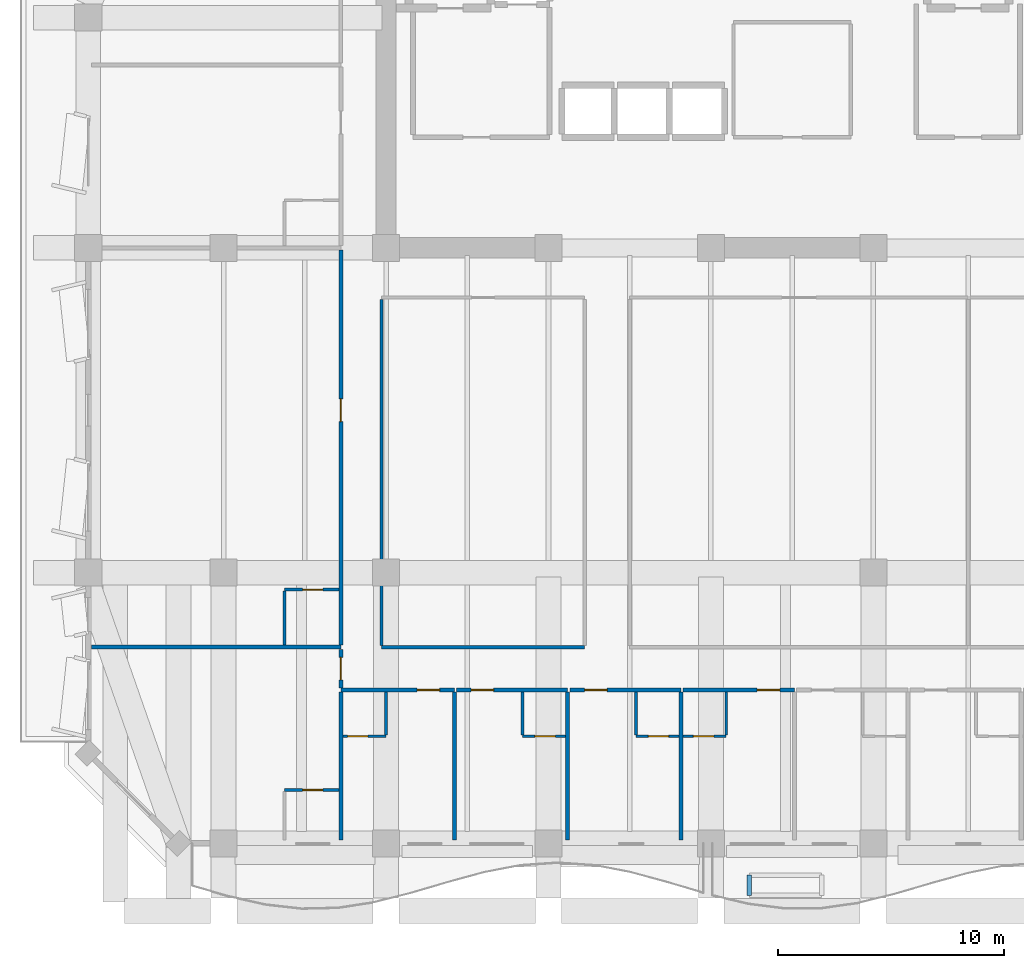
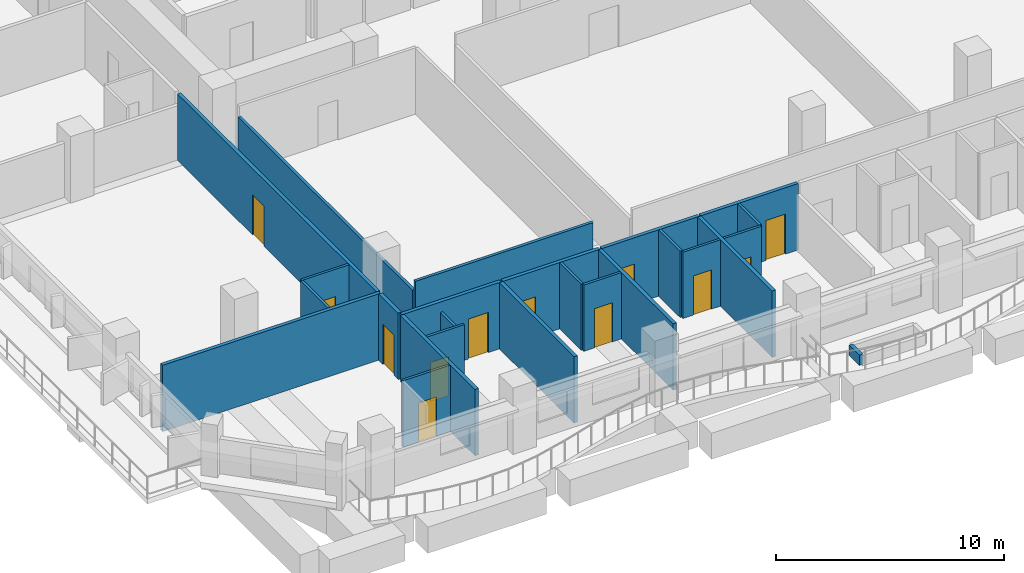
# One storey, part 4 of 16: 25 walls, 12 doors, 12 openings.
"""IFC4 building model written with IfcOpenShell, lengths in metres."""

from ifc_helpers import new_model, si_unit, direction, frame, frame_2d, origin, place, context, subcontext, project, spatial, rectangle, extrude, material, layer, layer_set, type_object, element, fill, save


model = new_model("IFC4")

# Units and contexts
model_context = context("Model", 3, precision=1e-05, world=origin(), true_north=direction((0.0, 1.0)))
body_context = subcontext(model_context, "Body", "Model", "MODEL_VIEW")
ifc_project = project(units=[si_unit("LENGTHUNIT", "METRE"), si_unit("AREAUNIT", "SQUARE_METRE"), si_unit("VOLUMEUNIT", "CUBIC_METRE"), si_unit("PLANEANGLEUNIT", "RADIAN"), si_unit("MASSUNIT", "GRAM", prefix="KILO")], contexts=[model_context])

# Site, building, storey
site_placement = place(None, origin())
site = spatial("IfcSite", under=ifc_project, at=site_placement, CompositionType="ELEMENT")
building_placement = place(site_placement, origin())
building = spatial("IfcBuilding", under=site, at=building_placement, Name="Kaelvorn Grand Hotel", CompositionType="ELEMENT")
storey_placement = place(building_placement, frame((0.0, 0.0, 135.35009765625)))
storey = spatial("IfcBuildingStorey", under=building, at=storey_placement, Name="L32", CompositionType="ELEMENT", Elevation=135.35009765625)

# Wall, opening, door
ifc_material_1 = material(Name="Moisture-Resistant Tile & Stud Board")
ifc_layer_1 = layer(ifc_material_1, 0.125)
ifc_layer_set_1 = layer_set([ifc_layer_1], Name="Moisture-Resistant Tile & Stud Board")
wall_type_1 = type_object("IfcWallType", Name="WL-PART-125-WET", PredefinedType="PARTITIONING", material=ifc_layer_set_1)
wall_1_placement = place(storey_placement, frame((14.294921875, 7.75, 0.0), z_axis=(0.0, 0.0, 1.0), x_axis=(1.0, 0.0, 0.0)))
wall_1 = element("IfcWall", 1, at=wall_1_placement, inside=storey, type_object=wall_type_1, Name="L32 En-suite Bathroom L32-01 S Partition", PredefinedType="PARTITIONING", context=body_context, shape_type="SweptSolid", body=[
    extrude(rectangle(XDim=1.905029296875, YDim=0.125, at=frame_2d((0.95263671875, 0.0))), origin(), (0.0, 0.0, 1.0), 3.559814453125),
])
opening_1_placement = place(wall_1_placement, frame((0.205078125, 0.0, 0.0)))
opening_1 = element("IfcOpeningElement", 2, at=opening_1_placement, cuts=wall_1, Name="Opening DI4", PredefinedType="OPENING", context=body_context, shape_type="SweptSolid", body=[
    extrude(rectangle(XDim=0.89990234375, YDim=2.10009765625, at=frame_2d((0.449951171875, 1.050048828125))), frame((0.0, 0.072509765625, 0.0), z_axis=(0.0, -1.0, 0.0), x_axis=(1.0, 0.0, 0.0)), (0.0, 0.0, 1.0), 0.14501953125),
])
ifc_material_2 = material(Name="Timber Veneer Leaf", Category="wood")
door_type_1 = type_object("IfcDoorType", Name="DR-INT-BATH-900x2100", OperationType="NOTDEFINED", PredefinedType="DOOR", material=ifc_material_2)
door_1_placement = place(opening_1_placement, origin())
door_1 = element("IfcDoor", 3, at=door_1_placement, inside=storey, type_object=door_type_1, Name="L32 En-suite Bathroom L32-01 Door", OperationType="SINGLE_SWING_RIGHT", OverallHeight=2.10009765625, OverallWidth=0.89990234375, PredefinedType="DOOR", context=body_context, shape_type="SweptSolid", body=[
    extrude(rectangle(XDim=0.89990234375, YDim=2.10009765625, at=frame_2d((0.449951171875, 1.050048828125))), frame((0.0, 0.02490234375, 0.0), z_axis=(0.0, -1.0, 0.0), x_axis=(1.0, 0.0, 0.0)), (0.0, 0.0, 1.0), 0.050048828125),
])
fill(opening_1, door_1)

# Wall
wall_2_placement = place(storey_placement, frame((16.199951171875, 7.8173828125, 0.0), z_axis=(0.0, 0.0, 1.0), x_axis=(0.0, 1.0, 0.0)))
element("IfcWall", 4, at=wall_2_placement, inside=storey, type_object=wall_type_1, Name="L32 En-suite Bathroom L32-01 E Partition", PredefinedType="PARTITIONING", context=body_context, shape_type="SweptSolid", body=[
    extrude(rectangle(XDim=1.8876953125, YDim=0.125, at=frame_2d((0.94384765625, 0.0))), origin(), (0.0, 0.0, 1.0), 3.010009765625),
])

# Wall, opening, door
wall_3_placement = place(storey_placement, frame((22.250732421875, 7.75, 0.0), z_axis=(0.0, 0.0, 1.0), x_axis=(1.0, 0.0, 0.0)))
wall_3 = element("IfcWall", 5, at=wall_3_placement, inside=storey, type_object=wall_type_1, Name="L32 En-suite Bathroom L32-02 S Partition", PredefinedType="PARTITIONING", context=body_context, shape_type="SweptSolid", body=[
    extrude(rectangle(XDim=1.905029296875, YDim=0.125, at=frame_2d((0.95263671875, 0.0))), origin(), (0.0, 0.0, 1.0), 3.559814453125),
])
opening_2_placement = place(wall_3_placement, frame((0.550048828125, 0.0, 0.0)))
opening_2 = element("IfcOpeningElement", 6, at=opening_2_placement, cuts=wall_3, Name="Opening DI4", PredefinedType="OPENING", context=body_context, shape_type="SweptSolid", body=[
    extrude(rectangle(XDim=0.89990234375, YDim=2.10009765625, at=frame_2d((0.449951171875, 1.050048828125))), frame((0.0, 0.072509765625, 0.0), z_axis=(0.0, -1.0, 0.0), x_axis=(1.0, 0.0, 0.0)), (0.0, 0.0, 1.0), 0.14501953125),
])
door_2_placement = place(opening_2_placement, origin())
door_2 = element("IfcDoor", 7, at=door_2_placement, inside=storey, type_object=door_type_1, Name="L32 En-suite Bathroom L32-02 Door", OperationType="SINGLE_SWING_RIGHT", OverallHeight=2.10009765625, OverallWidth=0.89990234375, PredefinedType="DOOR", context=body_context, shape_type="SweptSolid", body=[
    extrude(rectangle(XDim=0.89990234375, YDim=2.10009765625, at=frame_2d((0.449951171875, 1.050048828125))), frame((0.0, 0.02490234375, 0.0), z_axis=(0.0, -1.0, 0.0), x_axis=(1.0, 0.0, 0.0)), (0.0, 0.0, 1.0), 0.050048828125),
])
fill(opening_2, door_2)

# Wall
wall_4_placement = place(storey_placement, frame((22.250732421875, 7.8173828125, 0.0), z_axis=(0.0, 0.0, 1.0), x_axis=(0.0, 1.0, 0.0)))
element("IfcWall", 8, at=wall_4_placement, inside=storey, type_object=wall_type_1, Name="L32 En-suite Bathroom L32-02 W Partition", PredefinedType="PARTITIONING", context=body_context, shape_type="SweptSolid", body=[
    extrude(rectangle(XDim=1.8876953125, YDim=0.125, at=frame_2d((0.94384765625, 0.0))), origin(), (0.0, 0.0, 1.0), 3.559814453125),
])

# Wall, opening, door
wall_5_placement = place(storey_placement, frame((27.276123046875, 7.75, 0.0), z_axis=(0.0, 0.0, 1.0), x_axis=(1.0, 0.0, 0.0)))
wall_5 = element("IfcWall", 9, at=wall_5_placement, inside=storey, type_object=wall_type_1, Name="L32 En-suite Bathroom L32-03 S Partition", PredefinedType="PARTITIONING", context=body_context, shape_type="SweptSolid", body=[
    extrude(rectangle(XDim=1.905029296875, YDim=0.125, at=frame_2d((0.95263671875, 0.0))), origin(), (0.0, 0.0, 1.0), 3.559814453125),
])
opening_3_placement = place(wall_5_placement, frame((0.550048828125, 0.0, 0.0)))
opening_3 = element("IfcOpeningElement", 10, at=opening_3_placement, cuts=wall_5, Name="Opening DI4", PredefinedType="OPENING", context=body_context, shape_type="SweptSolid", body=[
    extrude(rectangle(XDim=0.89990234375, YDim=2.10009765625, at=frame_2d((0.449951171875, 1.050048828125))), frame((0.0, 0.072509765625, 0.0), z_axis=(0.0, -1.0, 0.0), x_axis=(1.0, 0.0, 0.0)), (0.0, 0.0, 1.0), 0.14501953125),
])
door_3_placement = place(opening_3_placement, origin())
door_3 = element("IfcDoor", 11, at=door_3_placement, inside=storey, type_object=door_type_1, Name="L32 En-suite Bathroom L32-03 Door", OperationType="SINGLE_SWING_RIGHT", OverallHeight=2.10009765625, OverallWidth=0.89990234375, PredefinedType="DOOR", context=body_context, shape_type="SweptSolid", body=[
    extrude(rectangle(XDim=0.89990234375, YDim=2.10009765625, at=frame_2d((0.449951171875, 1.050048828125))), frame((0.0, 0.02490234375, 0.0), z_axis=(0.0, -1.0, 0.0), x_axis=(1.0, 0.0, 0.0)), (0.0, 0.0, 1.0), 0.050048828125),
])
fill(opening_3, door_3)

# Wall
wall_6_placement = place(storey_placement, frame((27.276123046875, 7.8173828125, 0.0), z_axis=(0.0, 0.0, 1.0), x_axis=(0.0, 1.0, 0.0)))
element("IfcWall", 12, at=wall_6_placement, inside=storey, type_object=wall_type_1, Name="L32 En-suite Bathroom L32-03 W Partition", PredefinedType="PARTITIONING", context=body_context, shape_type="SweptSolid", body=[
    extrude(rectangle(XDim=1.8876953125, YDim=0.125, at=frame_2d((0.94384765625, 0.0))), origin(), (0.0, 0.0, 1.0), 3.559814453125),
])

# Wall, opening, door
wall_7_placement = place(storey_placement, frame((29.37109375, 7.75, 0.0), z_axis=(0.0, 0.0, 1.0), x_axis=(1.0, 0.0, 0.0)))
wall_7 = element("IfcWall", 13, at=wall_7_placement, inside=storey, type_object=wall_type_1, Name="L32 En-suite Bathroom L32-04 S Partition", PredefinedType="PARTITIONING", context=body_context, shape_type="SweptSolid", body=[
    extrude(rectangle(XDim=1.905029296875, YDim=0.125, at=frame_2d((0.95263671875, 0.0))), origin(), (0.0, 0.0, 1.0), 3.559814453125),
])
opening_4_placement = place(wall_7_placement, frame((0.455078125, 0.0, 0.0)))
opening_4 = element("IfcOpeningElement", 14, at=opening_4_placement, cuts=wall_7, Name="Opening DI4", PredefinedType="OPENING", context=body_context, shape_type="SweptSolid", body=[
    extrude(rectangle(XDim=0.89990234375, YDim=2.10009765625, at=frame_2d((0.449951171875, 1.050048828125))), frame((0.0, 0.072509765625, 0.0), z_axis=(0.0, -1.0, 0.0), x_axis=(1.0, 0.0, 0.0)), (0.0, 0.0, 1.0), 0.14501953125),
])
door_4_placement = place(opening_4_placement, origin())
door_4 = element("IfcDoor", 15, at=door_4_placement, inside=storey, type_object=door_type_1, Name="L32 En-suite Bathroom L32-04 Door", OperationType="SINGLE_SWING_RIGHT", OverallHeight=2.10009765625, OverallWidth=0.89990234375, PredefinedType="DOOR", context=body_context, shape_type="SweptSolid", body=[
    extrude(rectangle(XDim=0.89990234375, YDim=2.10009765625, at=frame_2d((0.449951171875, 1.050048828125))), frame((0.0, 0.02490234375, 0.0), z_axis=(0.0, -1.0, 0.0), x_axis=(1.0, 0.0, 0.0)), (0.0, 0.0, 1.0), 0.050048828125),
])
fill(opening_4, door_4)

# Wall
wall_8_placement = place(storey_placement, frame((31.276123046875, 7.8173828125, 0.0), z_axis=(0.0, 0.0, 1.0), x_axis=(0.0, 1.0, 0.0)))
element("IfcWall", 16, at=wall_8_placement, inside=storey, type_object=wall_type_1, Name="L32 En-suite Bathroom L32-04 E Partition", PredefinedType="PARTITIONING", context=body_context, shape_type="SweptSolid", body=[
    extrude(rectangle(XDim=1.8876953125, YDim=0.125, at=frame_2d((0.94384765625, 0.0))), origin(), (0.0, 0.0, 1.0), 3.559814453125),
])

# Wall, opening, door
wall_9_placement = place(storey_placement, frame((11.699951171875, 5.3701171875, 0.0), z_axis=(0.0, 0.0, 1.0), x_axis=(1.0, 0.0, 0.0)))
wall_9 = element("IfcWall", 17, at=wall_9_placement, inside=storey, type_object=wall_type_1, Name="L32 En-suite Bathroom L32-12 N Partition", PredefinedType="PARTITIONING", context=body_context, shape_type="SweptSolid", body=[
    extrude(rectangle(XDim=2.405029296875, YDim=0.125, at=frame_2d((1.20263671875, 0.0))), origin(), (0.0, 0.0, 1.0), 3.559814453125),
])
opening_5_placement = place(wall_9_placement, frame((0.800048828125, 0.0, 0.0)))
opening_5 = element("IfcOpeningElement", 18, at=opening_5_placement, cuts=wall_9, Name="Opening DI4", PredefinedType="OPENING", context=body_context, shape_type="SweptSolid", body=[
    extrude(rectangle(XDim=0.89990234375, YDim=2.10009765625, at=frame_2d((0.449951171875, 1.050048828125))), frame((0.0, 0.072509765625, 0.0), z_axis=(0.0, -1.0, 0.0), x_axis=(1.0, 0.0, 0.0)), (0.0, 0.0, 1.0), 0.14501953125),
])
door_5_placement = place(opening_5_placement, origin())
door_5 = element("IfcDoor", 19, at=door_5_placement, inside=storey, type_object=door_type_1, Name="L32 En-suite Bathroom L32-12 Door", OperationType="SINGLE_SWING_RIGHT", OverallHeight=2.10009765625, OverallWidth=0.89990234375, PredefinedType="DOOR", context=body_context, shape_type="SweptSolid", body=[
    extrude(rectangle(XDim=0.89990234375, YDim=2.10009765625, at=frame_2d((0.449951171875, 1.050048828125))), frame((0.0, 0.02490234375, 0.0), z_axis=(0.0, -1.0, 0.0), x_axis=(1.0, 0.0, 0.0)), (0.0, 0.0, 1.0), 0.050048828125),
])
fill(opening_5, door_5)

wall_10_placement = place(storey_placement, frame((11.699951171875, 14.25, 0.0), z_axis=(0.0, 0.0, 1.0), x_axis=(1.0, 0.0, 0.0)))
wall_10 = element("IfcWall", 20, at=wall_10_placement, inside=storey, type_object=wall_type_1, Name="L32 En-suite Bathroom L32-13 N Partition", PredefinedType="PARTITIONING", context=body_context, shape_type="SweptSolid", body=[
    extrude(rectangle(XDim=2.405029296875, YDim=0.125, at=frame_2d((1.20263671875, 0.0))), origin(), (0.0, 0.0, 1.0), 3.559814453125),
])
opening_6_placement = place(wall_10_placement, frame((0.800048828125, 0.0, 0.0)))
opening_6 = element("IfcOpeningElement", 21, at=opening_6_placement, cuts=wall_10, Name="Opening DI4", PredefinedType="OPENING", context=body_context, shape_type="SweptSolid", body=[
    extrude(rectangle(XDim=0.89990234375, YDim=2.10009765625, at=frame_2d((0.449951171875, 1.050048828125))), frame((0.0, 0.072509765625, 0.0), z_axis=(0.0, -1.0, 0.0), x_axis=(1.0, 0.0, 0.0)), (0.0, 0.0, 1.0), 0.14501953125),
])
door_6_placement = place(opening_6_placement, origin())
door_6 = element("IfcDoor", 22, at=door_6_placement, inside=storey, type_object=door_type_1, Name="L32 En-suite Bathroom L32-13 Door", OperationType="SINGLE_SWING_RIGHT", OverallHeight=2.10009765625, OverallWidth=0.89990234375, PredefinedType="DOOR", context=body_context, shape_type="SweptSolid", body=[
    extrude(rectangle(XDim=0.89990234375, YDim=2.10009765625, at=frame_2d((0.449951171875, 1.050048828125))), frame((0.0, 0.02490234375, 0.0), z_axis=(0.0, -1.0, 0.0), x_axis=(1.0, 0.0, 0.0)), (0.0, 0.0, 1.0), 0.050048828125),
])
fill(opening_6, door_6)

# Walls
wall_11_placement = place(storey_placement, frame((11.699951171875, 11.794921875, 0.0), z_axis=(0.0, 0.0, 1.0), x_axis=(0.0, 1.0, 0.0)))
element("IfcWall", 23, at=wall_11_placement, inside=storey, type_object=wall_type_1, Name="L32 En-suite Bathroom L32-13 W Partition", PredefinedType="PARTITIONING", context=body_context, shape_type="SweptSolid", body=[
    extrude(rectangle(XDim=2.3876953125, YDim=0.125, at=frame_2d((1.19384765625, 0.0))), origin(), (0.0, 0.0, 1.0), 3.559814453125),
])
ifc_material_3 = material(Name="Acoustic Gypsum & Stud Partition")
ifc_layer_2 = layer(ifc_material_3, 0.14990234375)
ifc_layer_set_2 = layer_set([ifc_layer_2], Name="Acoustic Gypsum & Stud Partition")
wall_type_2 = type_object("IfcWallType", Name="WL-PART-150-EI60", PredefinedType="PARTITIONING", material=ifc_layer_set_2)
wall_12_placement = place(storey_placement, frame((16.0, 11.699951171875, 0.0), z_axis=(0.0, 0.0, 1.0), x_axis=(1.0, 0.0, 0.0)))
element("IfcWall", 24, at=wall_12_placement, inside=storey, type_object=wall_type_2, Name="L32 Executive Meeting Boardroom S Partition", PredefinedType="PARTITIONING", context=body_context, shape_type="SweptSolid", body=[
    extrude(rectangle(XDim=9.0, YDim=0.14990234375, at=frame_2d((4.5, 0.0))), origin(), (0.0, 0.0, 1.0), 3.559814453125),
])
wall_13_placement = place(storey_placement, frame((16.0, 11.780029296875, 0.0), z_axis=(0.0, 0.0, 1.0), x_axis=(0.0, 1.0, 0.0)))
element("IfcWall", 25, at=wall_13_placement, inside=storey, type_object=wall_type_2, Name="L32 Executive Meeting Boardroom W Partition", PredefinedType="PARTITIONING", context=body_context, shape_type="SweptSolid", body=[
    extrude(rectangle(XDim=15.340087890625, YDim=0.14990234375, at=frame_2d((7.669921875, 0.0))), origin(), (0.0, 0.0, 1.0), 3.010009765625),
])

# Wall, opening, door
ifc_layer_3 = layer(ifc_material_3, 0.179931640625)
ifc_layer_set_3 = layer_set([ifc_layer_3], Name="Acoustic Gypsum & Stud Partition")
wall_type_3 = type_object("IfcWallType", Name="WL-PART-180-EI60", PredefinedType="PARTITIONING", material=ifc_layer_set_3)
wall_14_placement = place(storey_placement, frame((14.199951171875, 9.800048828125, 0.0), z_axis=(0.0, 0.0, 1.0), x_axis=(1.0, 0.0, 0.0)))
wall_14 = element("IfcWall", 26, at=wall_14_placement, inside=storey, type_object=wall_type_3, Name="L32 Superior King Guest Room L32-01 N Partition", PredefinedType="PARTITIONING", context=body_context, shape_type="SweptSolid", body=[
    extrude(rectangle(XDim=5.025390625, YDim=0.179931640625, at=frame_2d((2.5126953125, 0.0))), origin(), (0.0, 0.0, 1.0), 3.559814453125),
])
opening_7_placement = place(wall_14_placement, frame((3.37548828125, 0.0, 0.0)))
opening_7 = element("IfcOpeningElement", 27, at=opening_7_placement, cuts=wall_14, Name="Opening DI3", PredefinedType="OPENING", context=body_context, shape_type="SweptSolid", body=[
    extrude(rectangle(XDim=1.0, YDim=2.14990234375, at=frame_2d((0.5, 1.074951171875))), frame((0.0, 0.10009765625, 0.0), z_axis=(0.0, -1.0, 0.0), x_axis=(1.0, 0.0, 0.0)), (0.0, 0.0, 1.0), 0.199951171875),
])
ifc_material_4 = material(Name="Timber Veneer Fire Leaf", Category="wood")
door_type_2 = type_object("IfcDoorType", Name="DR-INT-GUEST-1000x2150", OperationType="NOTDEFINED", PredefinedType="DOOR", material=ifc_material_4)
door_7_placement = place(opening_7_placement, origin())
door_7 = element("IfcDoor", 28, at=door_7_placement, inside=storey, type_object=door_type_2, Name="L32 Superior King Guest Room L32-01 Door", OperationType="SINGLE_SWING_LEFT", OverallHeight=2.14990234375, OverallWidth=1.0, PredefinedType="DOOR", context=body_context, shape_type="SweptSolid", body=[
    extrude(rectangle(XDim=1.0, YDim=2.14990234375, at=frame_2d((0.5, 1.074951171875))), frame((0.0, 0.02490234375, 0.0), z_axis=(0.0, -1.0, 0.0), x_axis=(1.0, 0.0, 0.0)), (0.0, 0.0, 1.0), 0.050048828125),
])
fill(opening_7, door_7)

# Walls
for number, where, z_axis, x_axis, name in (
    (29, (14.199951171875, 3.14990234375, 0.0), (0.0, 0.0, 1.0), (0.0, 1.0, 0.0), "L32 Superior King Guest Room L32-01 W Partition"),
    (30, (19.225341796875, 3.14990234375, 0.0), (0.0, 0.0, 1.0), (0.0, 1.0, 0.0), "L32 Superior King Guest Room L32-01 E Partition"),
):
    element("IfcWall", number, at=place(storey_placement, frame(where, z_axis=z_axis, x_axis=x_axis)), inside=storey, type_object=wall_type_3, Name=name, PredefinedType="PARTITIONING", context=body_context, shape_type="SweptSolid", body=[
        extrude(rectangle(XDim=6.55517578125, YDim=0.179931640625, at=frame_2d((3.277587890625, 0.0))), origin(), (0.0, 0.0, 1.0), 3.559814453125),
    ])

# Wall, opening, door
wall_15_placement = place(storey_placement, frame((19.3203125, 9.800048828125, 0.0), z_axis=(0.0, 0.0, 1.0), x_axis=(1.0, 0.0, 0.0)))
wall_15 = element("IfcWall", 31, at=wall_15_placement, inside=storey, type_object=wall_type_3, Name="L32 Superior King Guest Room L32-02 N Partition", PredefinedType="PARTITIONING", context=body_context, shape_type="SweptSolid", body=[
    extrude(rectangle(XDim=4.930419921875, YDim=0.179931640625, at=frame_2d((2.46533203125, 0.0))), origin(), (0.0, 0.0, 1.0), 3.559814453125),
])
opening_8_placement = place(wall_15_placement, frame((0.64990234375, 0.0, 0.0)))
opening_8 = element("IfcOpeningElement", 32, at=opening_8_placement, cuts=wall_15, Name="Opening DI3", PredefinedType="OPENING", context=body_context, shape_type="SweptSolid", body=[
    extrude(rectangle(XDim=1.0, YDim=2.14990234375, at=frame_2d((0.5, 1.074951171875))), frame((0.0, 0.10009765625, 0.0), z_axis=(0.0, -1.0, 0.0), x_axis=(1.0, 0.0, 0.0)), (0.0, 0.0, 1.0), 0.199951171875),
])
door_8_placement = place(opening_8_placement, origin())
door_8 = element("IfcDoor", 33, at=door_8_placement, inside=storey, type_object=door_type_2, Name="L32 Superior King Guest Room L32-02 Door", OperationType="SINGLE_SWING_LEFT", OverallHeight=2.14990234375, OverallWidth=1.0, PredefinedType="DOOR", context=body_context, shape_type="SweptSolid", body=[
    extrude(rectangle(XDim=1.0, YDim=2.14990234375, at=frame_2d((0.5, 1.074951171875))), frame((0.0, 0.02490234375, 0.0), z_axis=(0.0, -1.0, 0.0), x_axis=(1.0, 0.0, 0.0)), (0.0, 0.0, 1.0), 0.050048828125),
])
fill(opening_8, door_8)

# Wall
wall_16_placement = place(storey_placement, frame((24.250732421875, 3.14990234375, 0.0), z_axis=(0.0, 0.0, 1.0), x_axis=(0.0, 1.0, 0.0)))
element("IfcWall", 34, at=wall_16_placement, inside=storey, type_object=wall_type_3, Name="L32 Superior King Guest Room L32-02 E Partition", PredefinedType="PARTITIONING", context=body_context, shape_type="SweptSolid", body=[
    extrude(rectangle(XDim=6.55517578125, YDim=0.179931640625, at=frame_2d((3.277587890625, 0.0))), origin(), (0.0, 0.0, 1.0), 3.559814453125),
])

# Wall, opening, door
wall_17_placement = place(storey_placement, frame((24.345703125, 9.800048828125, 0.0), z_axis=(0.0, 0.0, 1.0), x_axis=(1.0, 0.0, 0.0)))
wall_17 = element("IfcWall", 35, at=wall_17_placement, inside=storey, type_object=wall_type_3, Name="L32 Superior King Guest Room L32-03 N Partition", PredefinedType="PARTITIONING", context=body_context, shape_type="SweptSolid", body=[
    extrude(rectangle(XDim=4.930419921875, YDim=0.179931640625, at=frame_2d((2.46533203125, 0.0))), origin(), (0.0, 0.0, 1.0), 3.559814453125),
])
opening_9_placement = place(wall_17_placement, frame((0.64990234375, 0.0, 0.0)))
opening_9 = element("IfcOpeningElement", 36, at=opening_9_placement, cuts=wall_17, Name="Opening DI3", PredefinedType="OPENING", context=body_context, shape_type="SweptSolid", body=[
    extrude(rectangle(XDim=1.0, YDim=2.14990234375, at=frame_2d((0.5, 1.074951171875))), frame((0.0, 0.10009765625, 0.0), z_axis=(0.0, -1.0, 0.0), x_axis=(1.0, 0.0, 0.0)), (0.0, 0.0, 1.0), 0.199951171875),
])
door_9_placement = place(opening_9_placement, origin())
door_9 = element("IfcDoor", 37, at=door_9_placement, inside=storey, type_object=door_type_2, Name="L32 Superior King Guest Room L32-03 Door", OperationType="SINGLE_SWING_LEFT", OverallHeight=2.14990234375, OverallWidth=1.0, PredefinedType="DOOR", context=body_context, shape_type="SweptSolid", body=[
    extrude(rectangle(XDim=1.0, YDim=2.14990234375, at=frame_2d((0.5, 1.074951171875))), frame((0.0, 0.02490234375, 0.0), z_axis=(0.0, -1.0, 0.0), x_axis=(1.0, 0.0, 0.0)), (0.0, 0.0, 1.0), 0.050048828125),
])
fill(opening_9, door_9)

# Wall
wall_18_placement = place(storey_placement, frame((29.276123046875, 3.14990234375, 0.0), z_axis=(0.0, 0.0, 1.0), x_axis=(0.0, 1.0, 0.0)))
element("IfcWall", 38, at=wall_18_placement, inside=storey, type_object=wall_type_3, Name="L32 Superior King Guest Room L32-03 E Partition", PredefinedType="PARTITIONING", context=body_context, shape_type="SweptSolid", body=[
    extrude(rectangle(XDim=6.55517578125, YDim=0.179931640625, at=frame_2d((3.277587890625, 0.0))), origin(), (0.0, 0.0, 1.0), 3.559814453125),
])

# Wall, opening, door
wall_19_placement = place(storey_placement, frame((29.37109375, 9.800048828125, 0.0), z_axis=(0.0, 0.0, 1.0), x_axis=(1.0, 0.0, 0.0)))
wall_19 = element("IfcWall", 39, at=wall_19_placement, inside=storey, type_object=wall_type_3, Name="L32 Superior King Guest Room L32-04 N Partition", PredefinedType="PARTITIONING", context=body_context, shape_type="SweptSolid", body=[
    extrude(rectangle(XDim=4.930419921875, YDim=0.179931640625, at=frame_2d((2.46533203125, 0.0))), origin(), (0.0, 0.0, 1.0), 3.559814453125),
])
opening_10_placement = place(wall_19_placement, frame((3.2802734375, 0.0, 0.0)))
opening_10 = element("IfcOpeningElement", 40, at=opening_10_placement, cuts=wall_19, Name="Opening DI3", PredefinedType="OPENING", context=body_context, shape_type="SweptSolid", body=[
    extrude(rectangle(XDim=1.0, YDim=2.14990234375, at=frame_2d((0.5, 1.074951171875))), frame((0.0, 0.10009765625, 0.0), z_axis=(0.0, -1.0, 0.0), x_axis=(1.0, 0.0, 0.0)), (0.0, 0.0, 1.0), 0.199951171875),
])
door_10_placement = place(opening_10_placement, origin())
door_10 = element("IfcDoor", 41, at=door_10_placement, inside=storey, type_object=door_type_2, Name="L32 Superior King Guest Room L32-04 Door", OperationType="SINGLE_SWING_LEFT", OverallHeight=2.14990234375, OverallWidth=1.0, PredefinedType="DOOR", context=body_context, shape_type="SweptSolid", body=[
    extrude(rectangle(XDim=1.0, YDim=2.14990234375, at=frame_2d((0.5, 1.074951171875))), frame((0.0, 0.02490234375, 0.0), z_axis=(0.0, -1.0, 0.0), x_axis=(1.0, 0.0, 0.0)), (0.0, 0.0, 1.0), 0.050048828125),
])
fill(opening_10, door_10)

# Wall
wall_20_placement = place(storey_placement, frame((3.14990234375, 11.699951171875, 0.0), z_axis=(0.0, 0.0, 1.0), x_axis=(1.0, 0.0, 0.0)))
element("IfcWall", 42, at=wall_20_placement, inside=storey, type_object=wall_type_3, Name="L32 South-West Chamfer Suite L32-12 N Partition", PredefinedType="PARTITIONING", context=body_context, shape_type="SweptSolid", body=[
    extrude(rectangle(XDim=11.050048828125, YDim=0.179931640625, at=frame_2d((5.52490234375, 0.0))), origin(), (0.0, 0.0, 1.0), 3.559814453125),
])

# Wall, opening, door
wall_21_placement = place(storey_placement, frame((14.199951171875, 9.89501953125, 0.0), z_axis=(0.0, 0.0, 1.0), x_axis=(0.0, 1.0, 0.0)))
wall_21 = element("IfcWall", 43, at=wall_21_placement, inside=storey, type_object=wall_type_3, Name="L32 South-West Chamfer Suite L32-12 E Partition", PredefinedType="PARTITIONING", context=body_context, shape_type="SweptSolid", body=[
    extrude(rectangle(XDim=1.7099609375, YDim=0.179931640625, at=frame_2d((0.85498046875, 0.0))), origin(), (0.0, 0.0, 1.0), 3.559814453125),
])
opening_11_placement = place(wall_21_placement, frame((0.35498046875, 0.0, 0.0)))
opening_11 = element("IfcOpeningElement", 44, at=opening_11_placement, cuts=wall_21, Name="Opening DI3", PredefinedType="OPENING", context=body_context, shape_type="SweptSolid", body=[
    extrude(rectangle(XDim=1.0, YDim=2.14990234375, at=frame_2d((0.5, 1.074951171875))), frame((0.0, 0.10009765625, 0.0), z_axis=(0.0, -1.0, 0.0), x_axis=(1.0, 0.0, 0.0)), (0.0, 0.0, 1.0), 0.199951171875),
])
door_11_placement = place(opening_11_placement, origin())
door_11 = element("IfcDoor", 45, at=door_11_placement, inside=storey, type_object=door_type_2, Name="L32 South-West Chamfer Suite L32-12 Door", OperationType="SINGLE_SWING_LEFT", OverallHeight=2.14990234375, OverallWidth=1.0, PredefinedType="DOOR", context=body_context, shape_type="SweptSolid", body=[
    extrude(rectangle(XDim=1.0, YDim=2.14990234375, at=frame_2d((0.5, 1.074951171875))), frame((0.0, 0.02490234375, 0.0), z_axis=(0.0, -1.0, 0.0), x_axis=(1.0, 0.0, 0.0)), (0.0, 0.0, 1.0), 0.050048828125),
])
fill(opening_11, door_11)

wall_22_placement = place(storey_placement, frame((14.199951171875, 11.794921875, 0.0), z_axis=(0.0, 0.0, 1.0), x_axis=(0.0, 1.0, 0.0)))
wall_22 = element("IfcWall", 46, at=wall_22_placement, inside=storey, type_object=wall_type_3, Name="L32 West End Panoramic Suite L32-13 E Partition", PredefinedType="PARTITIONING", context=body_context, shape_type="SweptSolid", body=[
    extrude(rectangle(XDim=17.510009765625, YDim=0.179931640625, at=frame_2d((8.7548828125, 0.0))), origin(), (0.0, 0.0, 1.0), 3.559814453125),
])
opening_12_placement = place(wall_22_placement, frame((9.905029296875, 0.0, 0.0)))
opening_12 = element("IfcOpeningElement", 47, at=opening_12_placement, cuts=wall_22, Name="Opening DI3", PredefinedType="OPENING", context=body_context, shape_type="SweptSolid", body=[
    extrude(rectangle(XDim=1.0, YDim=2.14990234375, at=frame_2d((0.5, 1.074951171875))), frame((0.0, 0.10009765625, 0.0), z_axis=(0.0, -1.0, 0.0), x_axis=(1.0, 0.0, 0.0)), (0.0, 0.0, 1.0), 0.199951171875),
])
door_12_placement = place(opening_12_placement, origin())
door_12 = element("IfcDoor", 48, at=door_12_placement, inside=storey, type_object=door_type_2, Name="L32 West End Panoramic Suite L32-13 Door", OperationType="SINGLE_SWING_LEFT", OverallHeight=2.14990234375, OverallWidth=1.0, PredefinedType="DOOR", context=body_context, shape_type="SweptSolid", body=[
    extrude(rectangle(XDim=1.0, YDim=2.14990234375, at=frame_2d((0.5, 1.074951171875))), frame((0.0, 0.02490234375, 0.0), z_axis=(0.0, -1.0, 0.0), x_axis=(1.0, 0.0, 0.0)), (0.0, 0.0, 1.0), 0.050048828125),
])
fill(opening_12, door_12)

# Wall
ifc_material_5 = material(Name="Concrete C40/50", Category="concrete")
ifc_layer_4 = layer(ifc_material_5, 0.199951171875)
ifc_layer_set_4 = layer_set([ifc_layer_4], Name="Concrete C40/50")
wall_type_4 = type_object("IfcWallType", Name="WL-TREE-PLANTER-200", PredefinedType="PARAPET", material=ifc_layer_set_4)
wall_23_placement = place(storey_placement, frame((32.3046875, 1.60009765625, 0.0), z_axis=(0.0, 0.0, 1.0), x_axis=(0.0, -1.0, 0.0)))
element("IfcWall", 49, at=wall_23_placement, inside=storey, type_object=wall_type_4, Name="L32 Planted Balcony Structural TREE PLANTER Kerb 1-W", PredefinedType="PARAPET", context=body_context, shape_type="SweptSolid", body=[
    extrude(rectangle(XDim=0.900146484375, YDim=0.199951171875, at=frame_2d((0.4501953125, 0.0))), origin(), (0.0, 0.0, 1.0), 0.5498046875),
])

save(model, "model.ifc")
